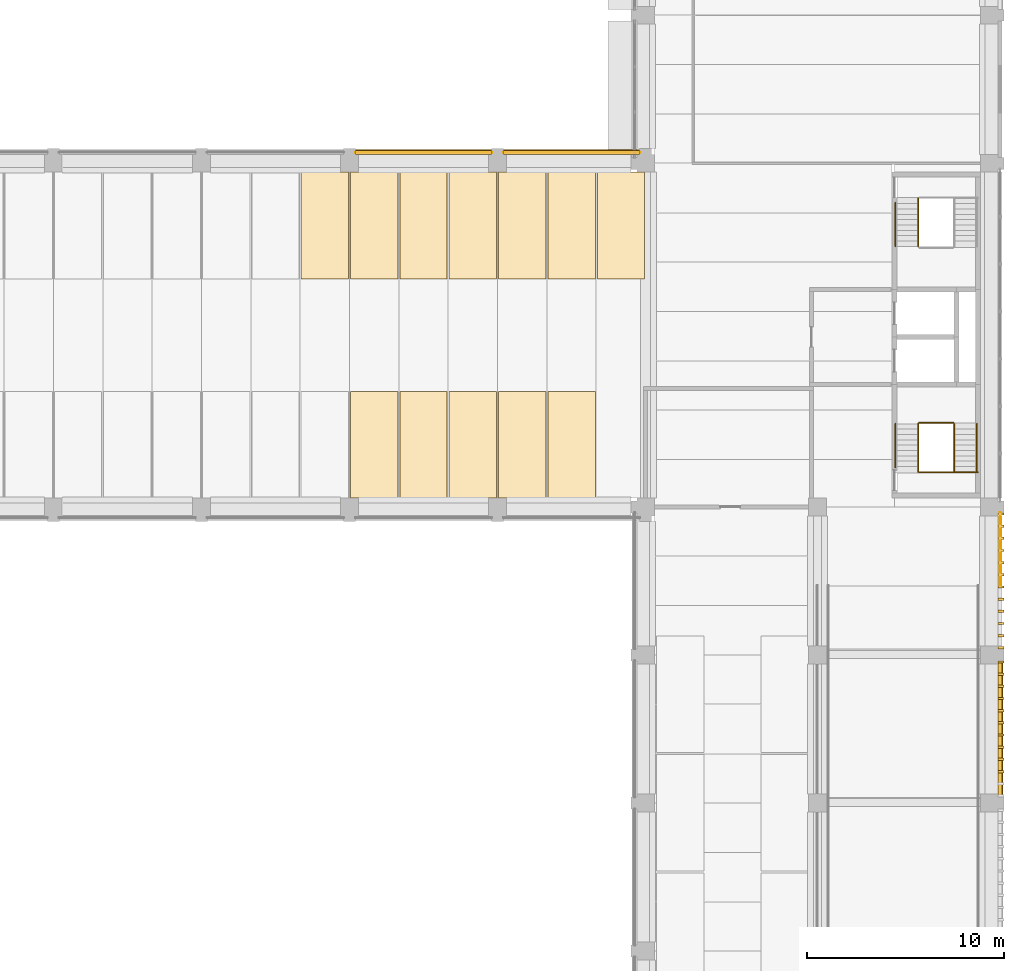
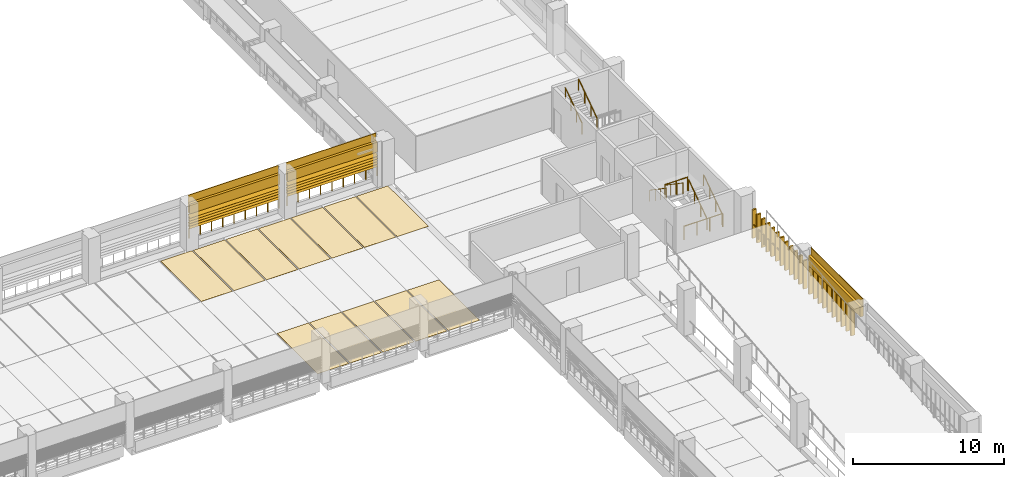
# One storey, part 50 of 57: 37 coverings, 11 railings, 10 shading devices.
"""IFC4 building model written with IfcOpenShell, lengths in metres."""

from ifc_helpers import new_model, si_unit, direction, frame, origin, origin_2d, place, context, subcontext, project, spatial, polyline, circle, outline, extrude, material, layer, layer_set, type_object, element, save


model = new_model("IFC4")

# Units and contexts
model_context = context("Model", 3, precision=1e-05, world=origin(), true_north=direction((0.0, 1.0)))
body_context = subcontext(model_context, "Body", "Model", "MODEL_VIEW")
ifc_project = project(units=[si_unit("LENGTHUNIT", "METRE"), si_unit("AREAUNIT", "SQUARE_METRE"), si_unit("VOLUMEUNIT", "CUBIC_METRE"), si_unit("PLANEANGLEUNIT", "RADIAN"), si_unit("MASSUNIT", "GRAM", prefix="KILO")], contexts=[model_context])

# Site, building, storey
site_placement = place(None, origin())
site = spatial("IfcSite", under=ifc_project, at=site_placement, CompositionType="ELEMENT")
building_placement = place(site_placement, origin())
building = spatial("IfcBuilding", under=site, at=building_placement, Name="Cour d'Honneur Mobility Palace", CompositionType="ELEMENT")
storey_placement = place(building_placement, frame((0.0, 0.0, 8.199951171875)))
storey = spatial("IfcBuildingStorey", under=building, at=storey_placement, Name="L02", CompositionType="ELEMENT", Elevation=8.199951171875)

# Railings
ifc_material_1 = material(Name="Painted steel", Category="steel")
railing_type_1 = type_object("IfcRailingType", Name="Balustrade", PredefinedType="BALUSTRADE", material=ifc_material_1)
railing_1_placement = place(storey_placement, frame((162.85009765625, 41.0, 0.300048828125)))
element("IfcRailing", 1, at=railing_1_placement, inside=storey, type_object=railing_type_1, Name="Balustrade BAL-97", PredefinedType="BALUSTRADE", context=body_context, shape_type="SweptSolid", body=[
    extrude(circle(Radius=0.02392578125, at=origin_2d()), frame((0.0, 0.0, 0.77587890625), z_axis=(0.0, 1.0, 0.0), x_axis=(-1.0, 0.0, 0.0)), (0.0, 0.0, 1.0), 3.699951171875),
    extrude(circle(Radius=0.02099609375, at=origin_2d()), origin(), (0.0, 0.0, 1.0), 0.751953125),
    extrude(circle(Radius=0.02099609375, at=origin_2d()), frame((0.0, 0.739990234375, 0.0)), (0.0, 0.0, 1.0), 0.751953125),
    extrude(circle(Radius=0.02099609375, at=origin_2d()), frame((0.0, 1.47998046875, 0.0)), (0.0, 0.0, 1.0), 0.751953125),
    extrude(circle(Radius=0.02099609375, at=origin_2d()), frame((0.0, 2.219970703125, 0.0)), (0.0, 0.0, 1.0), 0.751953125),
    extrude(circle(Radius=0.02099609375, at=origin_2d()), frame((0.0, 2.9599609375, 0.0)), (0.0, 0.0, 1.0), 0.751953125),
    extrude(circle(Radius=0.02099609375, at=origin_2d()), frame((0.0, 3.699951171875, 0.0)), (0.0, 0.0, 1.0), 0.751953125),
])
for number, where, name in (
    (2, (144.60009765625, 62.949951171875, 0.300048828125), "Balustrade BAL-105"),
    (3, (137.10009765625, 62.949951171875, 0.300048828125), "Balustrade BAL-106"),
):
    element("IfcRailing", number, at=place(storey_placement, frame(where)), inside=storey, type_object=railing_type_1, Name=name, PredefinedType="BALUSTRADE", context=body_context, shape_type="SweptSolid", body=[
        extrude(circle(Radius=0.02392578125, at=origin_2d()), frame((0.0, 0.0, 0.77587890625), z_axis=(-1.0, 0.0, 0.0), x_axis=(0.0, -1.0, 0.0)), (0.0, 0.0, 1.0), 6.900146484375),
        extrude(circle(Radius=0.02099609375, at=origin_2d()), origin(), (0.0, 0.0, 1.0), 0.751953125),
        extrude(circle(Radius=0.02099609375, at=origin_2d()), frame((-0.862548828125, 0.0, 0.0)), (0.0, 0.0, 1.0), 0.751953125),
        extrude(circle(Radius=0.02099609375, at=origin_2d()), frame((-1.72509765625, 0.0, 0.0)), (0.0, 0.0, 1.0), 0.751953125),
        extrude(circle(Radius=0.02099609375, at=origin_2d()), frame((-2.587646484375, 0.0, 0.0)), (0.0, 0.0, 1.0), 0.751953125),
        extrude(circle(Radius=0.02099609375, at=origin_2d()), frame((-3.4501953125, 0.0, 0.0)), (0.0, 0.0, 1.0), 0.751953125),
        extrude(circle(Radius=0.02099609375, at=origin_2d()), frame((-4.3125, 0.0, 0.0)), (0.0, 0.0, 1.0), 0.751953125),
        extrude(circle(Radius=0.02099609375, at=origin_2d()), frame((-5.175048828125, 0.0, 0.0)), (0.0, 0.0, 1.0), 0.751953125),
        extrude(circle(Radius=0.02099609375, at=origin_2d()), frame((-6.03759765625, 0.0, 0.0)), (0.0, 0.0, 1.0), 0.751953125),
        extrude(circle(Radius=0.02099609375, at=origin_2d()), frame((-6.900146484375, 0.0, 0.0)), (0.0, 0.0, 1.0), 0.751953125),
    ])
ifc_material_2 = material(Name="Painted steel", Category="steel")
railing_type_2 = type_object("IfcRailingType", Name="Guardrail 1100", PredefinedType="GUARDRAIL", material=ifc_material_2)
railing_2_placement = place(storey_placement, frame((158.75, 46.7548828125, 0.0)))
element("IfcRailing", 4, at=railing_2_placement, inside=storey, type_object=railing_type_2, Name="Guard ST-CE1", PredefinedType="GUARDRAIL", context=body_context, shape_type="SweptSolid", body=[
    extrude(circle(Radius=0.02490234375, at=origin_2d()), frame((0.0, 0.0, 1.0751953125), z_axis=(1.0, 0.0, 0.0), x_axis=(0.0, 1.0, 0.0)), (0.0, 0.0, 1.0), 2.97509765625),
    extrude(circle(Radius=0.02099609375, at=origin_2d()), origin(), (0.0, 0.0, 1.0), 1.050048828125),
    extrude(circle(Radius=0.02099609375, at=origin_2d()), frame((0.99169921875, 0.0, 0.0)), (0.0, 0.0, 1.0), 1.050048828125),
    extrude(circle(Radius=0.02099609375, at=origin_2d()), frame((1.9833984375, 0.0, 0.0)), (0.0, 0.0, 1.0), 1.050048828125),
    extrude(circle(Radius=0.02099609375, at=origin_2d()), frame((2.97509765625, 0.0, 0.0)), (0.0, 0.0, 1.0), 1.050048828125),
])
railing_3_placement = place(storey_placement, frame((158.75, 49.264892578125, 1.85009765625)))
element("IfcRailing", 5, at=railing_3_placement, inside=storey, type_object=railing_type_2, Name="Landing guard ST-CE1", PredefinedType="GUARDRAIL", context=body_context, shape_type="SweptSolid", body=[
    extrude(circle(Radius=0.02490234375, at=origin_2d()), frame((0.0, 0.0, 1.0751953125), z_axis=(1.0, 0.0, 0.0), x_axis=(0.0, 1.0, 0.0)), (0.0, 0.0, 1.0), 1.72509765625),
    extrude(circle(Radius=0.02099609375, at=origin_2d()), origin(), (0.0, 0.0, 1.0), 1.050048828125),
    extrude(circle(Radius=0.02099609375, at=origin_2d()), frame((0.862548828125, 0.0, 0.0)), (0.0, 0.0, 1.0), 1.050048828125),
    extrude(circle(Radius=0.02099609375, at=origin_2d()), frame((1.72509765625, 0.0, 0.0)), (0.0, 0.0, 1.0), 1.050048828125),
])
ifc_material_3 = material(Name="Stainless steel", Category="steel")
railing_type_3 = type_object("IfcRailingType", Name="Handrail round 50", PredefinedType="HANDRAIL", material=ifc_material_3)
for number, where, name in (
    (6, (161.675048828125, 46.77490234375, 0.18505859375), "Handrail ST-CE1"),
    (7, (160.52490234375, 46.77490234375, 0.18505859375), "Handrail ST-CE1"),
):
    element("IfcRailing", number, at=place(storey_placement, frame(where)), inside=storey, type_object=railing_type_3, Name=name, PredefinedType="HANDRAIL", context=body_context, shape_type="SweptSolid", body=[
        extrude(circle(Radius=0.02490234375, at=origin_2d()), frame((0.0, 0.0, 0.89501953125), z_axis=(0.0, 0.824945253146, 0.565212640793), x_axis=(-1.0, 0.0, 0.0)), (0.0, 0.0, 1.0), 2.94580078125),
        extrude(circle(Radius=0.02099609375, at=origin_2d()), origin(), (0.0, 0.0, 1.0), 0.869873046875),
        extrude(circle(Radius=0.02099609375, at=origin_2d()), frame((0.0, 0.81005859375, 0.554931640625)), (0.0, 0.0, 1.0), 0.869873046875),
        extrude(circle(Radius=0.02099609375, at=origin_2d()), frame((0.0, 1.6201171875, 1.110107421875)), (0.0, 0.0, 1.0), 0.869873046875),
        extrude(circle(Radius=0.02099609375, at=origin_2d()), frame((0.0, 2.43017578125, 1.6650390625)), (0.0, 0.0, 1.0), 0.869873046875),
    ])
railing_4_placement = place(storey_placement, frame((158.699951171875, 49.205078125, 2.03515625)))
element("IfcRailing", 8, at=railing_4_placement, inside=storey, type_object=railing_type_3, Name="Handrail ST-CE1", PredefinedType="HANDRAIL", context=body_context, shape_type="SweptSolid", body=[
    extrude(circle(Radius=0.02490234375, at=origin_2d()), frame((0.0, 0.0, 0.89501953125), z_axis=(0.0, -0.824983895463, 0.565156237006), x_axis=(1.0, 0.0, 0.0)), (0.0, 0.0, 1.0), 2.94580078125),
    extrude(circle(Radius=0.02099609375, at=origin_2d()), origin(), (0.0, 0.0, 1.0), 0.869873046875),
    extrude(circle(Radius=0.02099609375, at=origin_2d()), frame((0.0, -0.81005859375, 0.554931640625)), (0.0, 0.0, 1.0), 0.869873046875),
    extrude(circle(Radius=0.02099609375, at=origin_2d()), frame((0.0, -1.6201171875, 1.10986328125)), (0.0, 0.0, 1.0), 0.869873046875),
    extrude(circle(Radius=0.02099609375, at=origin_2d()), frame((0.0, -2.43017578125, 1.664794921875)), (0.0, 0.0, 1.0), 0.869873046875),
])
railing_5_placement = place(storey_placement, frame((157.550048828125, 49.205078125, 2.03515625)))
element("IfcRailing", 9, at=railing_5_placement, inside=storey, type_object=railing_type_3, Name="Handrail ST-CE1", PredefinedType="HANDRAIL", context=body_context, shape_type="SweptSolid", body=[
    extrude(circle(Radius=0.02490234375, at=origin_2d()), frame((0.0, 0.0, 0.89501953125), z_axis=(0.0, -0.824957609129, 0.565194606432), x_axis=(1.0, 0.0, 0.0)), (0.0, 0.0, 1.0), 2.6728515625),
    extrude(circle(Radius=0.02099609375, at=origin_2d()), origin(), (0.0, 0.0, 1.0), 0.869873046875),
    extrude(circle(Radius=0.02099609375, at=origin_2d()), frame((0.0, -0.735107421875, 0.503662109375)), (0.0, 0.0, 1.0), 0.869873046875),
    extrude(circle(Radius=0.02099609375, at=origin_2d()), frame((0.0, -1.469970703125, 1.007080078125)), (0.0, 0.0, 1.0), 0.869873046875),
    extrude(circle(Radius=0.02099609375, at=origin_2d()), frame((0.0, -2.205078125, 1.5107421875)), (0.0, 0.0, 1.0), 0.869873046875),
])
railing_6_placement = place(storey_placement, frame((158.699951171875, 58.195068359375, 2.03515625)))
element("IfcRailing", 10, at=railing_6_placement, inside=storey, type_object=railing_type_3, Name="Handrail ST-CE2", PredefinedType="HANDRAIL", context=body_context, shape_type="SweptSolid", body=[
    extrude(circle(Radius=0.02490234375, at=origin_2d()), frame((0.0, 0.0, 0.89501953125), z_axis=(0.0, 0.824957420862, 0.565194881227), x_axis=(-1.0, 0.0, 0.0)), (0.0, 0.0, 1.0), 2.945556640625),
    extrude(circle(Radius=0.02099609375, at=origin_2d()), origin(), (0.0, 0.0, 1.0), 0.869873046875),
    extrude(circle(Radius=0.02099609375, at=origin_2d()), frame((0.0, 0.81005859375, 0.554931640625)), (0.0, 0.0, 1.0), 0.869873046875),
    extrude(circle(Radius=0.02099609375, at=origin_2d()), frame((0.0, 1.619873046875, 1.10986328125)), (0.0, 0.0, 1.0), 0.869873046875),
    extrude(circle(Radius=0.02099609375, at=origin_2d()), frame((0.0, 2.429931640625, 1.664794921875)), (0.0, 0.0, 1.0), 0.869873046875),
])
railing_7_placement = place(storey_placement, frame((157.550048828125, 58.195068359375, 2.03515625)))
element("IfcRailing", 11, at=railing_7_placement, inside=storey, type_object=railing_type_3, Name="Handrail ST-CE2", PredefinedType="HANDRAIL", context=body_context, shape_type="SweptSolid", body=[
    extrude(circle(Radius=0.02490234375, at=origin_2d()), frame((0.0, 0.0, 0.89501953125), z_axis=(0.0, 0.824928428624, 0.565237195917), x_axis=(-1.0, 0.0, 0.0)), (0.0, 0.0, 1.0), 2.6728515625),
    extrude(circle(Radius=0.02099609375, at=origin_2d()), origin(), (0.0, 0.0, 1.0), 0.869873046875),
    extrude(circle(Radius=0.02099609375, at=origin_2d()), frame((0.0, 0.73486328125, 0.503662109375)), (0.0, 0.0, 1.0), 0.869873046875),
    extrude(circle(Radius=0.02099609375, at=origin_2d()), frame((0.0, 1.469970703125, 1.007080078125)), (0.0, 0.0, 1.0), 0.869873046875),
    extrude(circle(Radius=0.02099609375, at=origin_2d()), frame((0.0, 2.204833984375, 1.5107421875)), (0.0, 0.0, 1.0), 0.869873046875),
])

# Coverings
ifc_material_4 = material(Name="Parking marking paint")
ifc_layer_1 = layer(ifc_material_4, 0.0048828125)
ifc_layer_set_1 = layer_set([ifc_layer_1], Name="Parking marking paint")
covering_type_1 = type_object("IfcCoveringType", Name="Parking bay marking", PredefinedType="FLOORING", material=ifc_layer_set_1)
covering_1_placement = place(storey_placement, origin())
element("IfcCovering", 12, at=covering_1_placement, inside=storey, type_object=covering_type_1, Name="Parking bay marking L02 28", PredefinedType="FLOORING", context=body_context, shape_type="SweptSolid", body=[
    extrude(outline(polyline([(129.85009765625, 56.550048828125), (127.449951171875, 56.550048828125), (127.449951171875, 61.949951171875), (129.85009765625, 61.949951171875), (129.85009765625, 56.550048828125)])), origin(), (0.0, 0.0, 1.0), 0.005126953125),
])
covering_2_placement = place(storey_placement, origin())
element("IfcCovering", 13, at=covering_2_placement, inside=storey, type_object=covering_type_1, Name="Parking bay marking L02 29", PredefinedType="FLOORING", context=body_context, shape_type="SweptSolid", body=[
    extrude(outline(polyline([(132.35009765625, 56.550048828125), (129.949951171875, 56.550048828125), (129.949951171875, 61.949951171875), (132.35009765625, 61.949951171875), (132.35009765625, 56.550048828125)])), origin(), (0.0, 0.0, 1.0), 0.005126953125),
])
covering_3_placement = place(storey_placement, origin())
element("IfcCovering", 14, at=covering_3_placement, inside=storey, type_object=covering_type_1, Name="Parking bay marking L02 30", PredefinedType="FLOORING", context=body_context, shape_type="SweptSolid", body=[
    extrude(outline(polyline([(134.85009765625, 56.550048828125), (132.449951171875, 56.550048828125), (132.449951171875, 61.949951171875), (134.85009765625, 61.949951171875), (134.85009765625, 56.550048828125)])), origin(), (0.0, 0.0, 1.0), 0.005126953125),
])
covering_4_placement = place(storey_placement, origin())
element("IfcCovering", 15, at=covering_4_placement, inside=storey, type_object=covering_type_1, Name="Parking bay marking L02 31", PredefinedType="FLOORING", context=body_context, shape_type="SweptSolid", body=[
    extrude(outline(polyline([(137.35009765625, 56.550048828125), (134.949951171875, 56.550048828125), (134.949951171875, 61.949951171875), (137.35009765625, 61.949951171875), (137.35009765625, 56.550048828125)])), origin(), (0.0, 0.0, 1.0), 0.005126953125),
])
covering_5_placement = place(storey_placement, origin())
element("IfcCovering", 16, at=covering_5_placement, inside=storey, type_object=covering_type_1, Name="Parking bay marking L02 32", PredefinedType="FLOORING", context=body_context, shape_type="SweptSolid", body=[
    extrude(outline(polyline([(139.85009765625, 56.550048828125), (137.449951171875, 56.550048828125), (137.449951171875, 61.949951171875), (139.85009765625, 61.949951171875), (139.85009765625, 56.550048828125)])), origin(), (0.0, 0.0, 1.0), 0.005126953125),
])
covering_6_placement = place(storey_placement, origin())
element("IfcCovering", 17, at=covering_6_placement, inside=storey, type_object=covering_type_1, Name="Parking bay marking L02 34", PredefinedType="FLOORING", context=body_context, shape_type="SweptSolid", body=[
    extrude(outline(polyline([(142.35009765625, 56.550048828125), (139.949951171875, 56.550048828125), (139.949951171875, 61.949951171875), (142.35009765625, 61.949951171875), (142.35009765625, 56.550048828125)])), origin(), (0.0, 0.0, 1.0), 0.005126953125),
])
covering_7_placement = place(storey_placement, origin())
element("IfcCovering", 18, at=covering_7_placement, inside=storey, type_object=covering_type_1, Name="Parking bay marking L02 35", PredefinedType="FLOORING", context=body_context, shape_type="SweptSolid", body=[
    extrude(outline(polyline([(144.85009765625, 56.550048828125), (142.449951171875, 56.550048828125), (142.449951171875, 61.949951171875), (144.85009765625, 61.949951171875), (144.85009765625, 56.550048828125)])), origin(), (0.0, 0.0, 1.0), 0.005126953125),
])
covering_8_placement = place(storey_placement, origin())
element("IfcCovering", 19, at=covering_8_placement, inside=storey, type_object=covering_type_1, Name="Parking bay marking L02 68", PredefinedType="FLOORING", context=body_context, shape_type="SweptSolid", body=[
    extrude(outline(polyline([(132.35009765625, 45.449951171875), (129.949951171875, 45.449951171875), (129.949951171875, 50.85009765625), (132.35009765625, 50.85009765625), (132.35009765625, 45.449951171875)])), origin(), (0.0, 0.0, 1.0), 0.005126953125),
])
covering_9_placement = place(storey_placement, origin())
element("IfcCovering", 20, at=covering_9_placement, inside=storey, type_object=covering_type_1, Name="Parking bay marking L02 69", PredefinedType="FLOORING", context=body_context, shape_type="SweptSolid", body=[
    extrude(outline(polyline([(134.85009765625, 45.449951171875), (132.449951171875, 45.449951171875), (132.449951171875, 50.85009765625), (134.85009765625, 50.85009765625), (134.85009765625, 45.449951171875)])), origin(), (0.0, 0.0, 1.0), 0.005126953125),
])
covering_10_placement = place(storey_placement, origin())
element("IfcCovering", 21, at=covering_10_placement, inside=storey, type_object=covering_type_1, Name="Parking bay marking L02 70", PredefinedType="FLOORING", context=body_context, shape_type="SweptSolid", body=[
    extrude(outline(polyline([(137.35009765625, 45.449951171875), (134.949951171875, 45.449951171875), (134.949951171875, 50.85009765625), (137.35009765625, 50.85009765625), (137.35009765625, 45.449951171875)])), origin(), (0.0, 0.0, 1.0), 0.005126953125),
])
covering_11_placement = place(storey_placement, origin())
element("IfcCovering", 22, at=covering_11_placement, inside=storey, type_object=covering_type_1, Name="Parking bay marking L02 71", PredefinedType="FLOORING", context=body_context, shape_type="SweptSolid", body=[
    extrude(outline(polyline([(139.85009765625, 45.449951171875), (137.449951171875, 45.449951171875), (137.449951171875, 50.85009765625), (139.85009765625, 50.85009765625), (139.85009765625, 45.449951171875)])), origin(), (0.0, 0.0, 1.0), 0.005126953125),
])
covering_12_placement = place(storey_placement, origin())
element("IfcCovering", 23, at=covering_12_placement, inside=storey, type_object=covering_type_1, Name="Parking bay marking L02 73", PredefinedType="FLOORING", context=body_context, shape_type="SweptSolid", body=[
    extrude(outline(polyline([(142.35009765625, 45.449951171875), (139.949951171875, 45.449951171875), (139.949951171875, 50.85009765625), (142.35009765625, 50.85009765625), (142.35009765625, 45.449951171875)])), origin(), (0.0, 0.0, 1.0), 0.005126953125),
])
ifc_material_5 = material(Name="Cast limestone", Category="masonry")
ifc_layer_2 = layer(ifc_material_5, 0.1201171875)
ifc_layer_set_2 = layer_set([ifc_layer_2], Name="Cast limestone")
covering_type_2 = type_object("IfcCoveringType", Name="Ramp screen fin", PredefinedType="CLADDING", material=ifc_layer_set_2)
covering_13_placement = place(storey_placement, origin())
element("IfcCovering", 24, at=covering_13_placement, inside=storey, type_object=covering_type_2, Name="Ramp screen fin E5.4 L02 3", PredefinedType="CLADDING", context=body_context, shape_type="SweptSolid", body=[
    extrude(outline(polyline([(162.75, 31.53271484375), (162.75, 31.65283203125), (163.050048828125, 31.65283203125), (163.050048828125, 31.53271484375), (162.75, 31.53271484375)])), origin(), (0.0, 0.0, 1.0), 2.300048828125),
])
covering_14_placement = place(storey_placement, origin())
element("IfcCovering", 25, at=covering_14_placement, inside=storey, type_object=covering_type_2, Name="Ramp screen fin E5.4 L02 4", PredefinedType="CLADDING", context=body_context, shape_type="SweptSolid", body=[
    extrude(outline(polyline([(162.75, 32.149169921875), (162.75, 32.26904296875), (163.050048828125, 32.26904296875), (163.050048828125, 32.149169921875), (162.75, 32.149169921875)])), origin(), (0.0, 0.0, 1.0), 2.300048828125),
])
covering_15_placement = place(storey_placement, origin())
element("IfcCovering", 26, at=covering_15_placement, inside=storey, type_object=covering_type_2, Name="Ramp screen fin E5.4 L02 5", PredefinedType="CLADDING", context=body_context, shape_type="SweptSolid", body=[
    extrude(outline(polyline([(162.75, 32.765380859375), (162.75, 32.885498046875), (163.050048828125, 32.885498046875), (163.050048828125, 32.765380859375), (162.75, 32.765380859375)])), origin(), (0.0, 0.0, 1.0), 2.300048828125),
])
covering_16_placement = place(storey_placement, origin())
element("IfcCovering", 27, at=covering_16_placement, inside=storey, type_object=covering_type_2, Name="Ramp screen fin E5.4 L02 6", PredefinedType="CLADDING", context=body_context, shape_type="SweptSolid", body=[
    extrude(outline(polyline([(162.75, 33.3818359375), (162.75, 33.501708984375), (163.050048828125, 33.501708984375), (163.050048828125, 33.3818359375), (162.75, 33.3818359375)])), origin(), (0.0, 0.0, 1.0), 2.300048828125),
])
covering_17_placement = place(storey_placement, origin())
element("IfcCovering", 28, at=covering_17_placement, inside=storey, type_object=covering_type_2, Name="Ramp screen fin E5.4 L02 7", PredefinedType="CLADDING", context=body_context, shape_type="SweptSolid", body=[
    extrude(outline(polyline([(162.75, 33.998291015625), (162.75, 34.1181640625), (163.050048828125, 34.1181640625), (163.050048828125, 33.998291015625), (162.75, 33.998291015625)])), origin(), (0.0, 0.0, 1.0), 2.300048828125),
])
covering_18_placement = place(storey_placement, origin())
element("IfcCovering", 29, at=covering_18_placement, inside=storey, type_object=covering_type_2, Name="Ramp screen fin E5.4 L02 8", PredefinedType="CLADDING", context=body_context, shape_type="SweptSolid", body=[
    extrude(outline(polyline([(162.75, 34.614501953125), (162.75, 34.734619140625), (163.050048828125, 34.734619140625), (163.050048828125, 34.614501953125), (162.75, 34.614501953125)])), origin(), (0.0, 0.0, 1.0), 2.300048828125),
])
covering_19_placement = place(storey_placement, origin())
element("IfcCovering", 30, at=covering_19_placement, inside=storey, type_object=covering_type_2, Name="Ramp screen fin E5.4 L02 9", PredefinedType="CLADDING", context=body_context, shape_type="SweptSolid", body=[
    extrude(outline(polyline([(162.75, 35.23095703125), (162.75, 35.350830078125), (163.050048828125, 35.350830078125), (163.050048828125, 35.23095703125), (162.75, 35.23095703125)])), origin(), (0.0, 0.0, 1.0), 2.300048828125),
])
covering_20_placement = place(storey_placement, origin())
element("IfcCovering", 31, at=covering_20_placement, inside=storey, type_object=covering_type_2, Name="Ramp screen fin E5.4 L02 10", PredefinedType="CLADDING", context=body_context, shape_type="SweptSolid", body=[
    extrude(outline(polyline([(162.75, 35.84716796875), (162.75, 35.96728515625), (163.050048828125, 35.96728515625), (163.050048828125, 35.84716796875), (162.75, 35.84716796875)])), origin(), (0.0, 0.0, 1.0), 2.300048828125),
])
covering_21_placement = place(storey_placement, origin())
element("IfcCovering", 32, at=covering_21_placement, inside=storey, type_object=covering_type_2, Name="Ramp screen fin E5.4 L02 11", PredefinedType="CLADDING", context=body_context, shape_type="SweptSolid", body=[
    extrude(outline(polyline([(162.75, 36.463623046875), (162.75, 36.583740234375), (163.050048828125, 36.583740234375), (163.050048828125, 36.463623046875), (162.75, 36.463623046875)])), origin(), (0.0, 0.0, 1.0), 2.300048828125),
])
covering_22_placement = place(storey_placement, origin())
element("IfcCovering", 33, at=covering_22_placement, inside=storey, type_object=covering_type_2, Name="Ramp screen fin E5.4 L02 12", PredefinedType="CLADDING", context=body_context, shape_type="SweptSolid", body=[
    extrude(outline(polyline([(162.75, 37.080078125), (162.75, 37.199951171875), (163.050048828125, 37.199951171875), (163.050048828125, 37.080078125), (162.75, 37.080078125)])), origin(), (0.0, 0.0, 1.0), 2.300048828125),
])
covering_23_placement = place(storey_placement, origin())
element("IfcCovering", 34, at=covering_23_placement, inside=storey, type_object=covering_type_2, Name="Ramp screen fin E5.5 L02 1", PredefinedType="CLADDING", context=body_context, shape_type="SweptSolid", body=[
    extrude(outline(polyline([(162.75, 37.800048828125), (162.75, 37.919921875), (163.050048828125, 37.919921875), (163.050048828125, 37.800048828125), (162.75, 37.800048828125)])), origin(), (0.0, 0.0, 1.0), 2.300048828125),
])
covering_24_placement = place(storey_placement, origin())
element("IfcCovering", 35, at=covering_24_placement, inside=storey, type_object=covering_type_2, Name="Ramp screen fin E5.5 L02 2", PredefinedType="CLADDING", context=body_context, shape_type="SweptSolid", body=[
    extrude(outline(polyline([(162.75, 38.416259765625), (162.75, 38.536376953125), (163.050048828125, 38.536376953125), (163.050048828125, 38.416259765625), (162.75, 38.416259765625)])), origin(), (0.0, 0.0, 1.0), 2.300048828125),
])
covering_25_placement = place(storey_placement, origin())
element("IfcCovering", 36, at=covering_25_placement, inside=storey, type_object=covering_type_2, Name="Ramp screen fin E5.5 L02 3", PredefinedType="CLADDING", context=body_context, shape_type="SweptSolid", body=[
    extrude(outline(polyline([(162.75, 39.03271484375), (162.75, 39.15283203125), (163.050048828125, 39.15283203125), (163.050048828125, 39.03271484375), (162.75, 39.03271484375)])), origin(), (0.0, 0.0, 1.0), 2.300048828125),
])
covering_26_placement = place(storey_placement, origin())
element("IfcCovering", 37, at=covering_26_placement, inside=storey, type_object=covering_type_2, Name="Ramp screen fin E5.5 L02 4", PredefinedType="CLADDING", context=body_context, shape_type="SweptSolid", body=[
    extrude(outline(polyline([(162.75, 39.649169921875), (162.75, 39.76904296875), (163.050048828125, 39.76904296875), (163.050048828125, 39.649169921875), (162.75, 39.649169921875)])), origin(), (0.0, 0.0, 1.0), 2.300048828125),
])
covering_27_placement = place(storey_placement, origin())
element("IfcCovering", 38, at=covering_27_placement, inside=storey, type_object=covering_type_2, Name="Ramp screen fin E5.5 L02 5", PredefinedType="CLADDING", context=body_context, shape_type="SweptSolid", body=[
    extrude(outline(polyline([(162.75, 40.265380859375), (162.75, 40.385498046875), (163.050048828125, 40.385498046875), (163.050048828125, 40.265380859375), (162.75, 40.265380859375)])), origin(), (0.0, 0.0, 1.0), 2.300048828125),
])
covering_28_placement = place(storey_placement, origin())
element("IfcCovering", 39, at=covering_28_placement, inside=storey, type_object=covering_type_2, Name="Ramp screen fin E5.5 L02 6", PredefinedType="CLADDING", context=body_context, shape_type="SweptSolid", body=[
    extrude(outline(polyline([(162.75, 40.8818359375), (162.75, 41.001708984375), (163.050048828125, 41.001708984375), (163.050048828125, 40.8818359375), (162.75, 40.8818359375)])), origin(), (0.0, 0.0, 1.0), 2.300048828125),
])
covering_29_placement = place(storey_placement, origin())
element("IfcCovering", 40, at=covering_29_placement, inside=storey, type_object=covering_type_2, Name="Ramp screen fin E5.5 L02 7", PredefinedType="CLADDING", context=body_context, shape_type="SweptSolid", body=[
    extrude(outline(polyline([(162.75, 41.498291015625), (162.75, 41.6181640625), (163.050048828125, 41.6181640625), (163.050048828125, 41.498291015625), (162.75, 41.498291015625)])), origin(), (0.0, 0.0, 1.0), 2.300048828125),
])
covering_30_placement = place(storey_placement, origin())
element("IfcCovering", 41, at=covering_30_placement, inside=storey, type_object=covering_type_2, Name="Ramp screen fin E5.5 L02 8", PredefinedType="CLADDING", context=body_context, shape_type="SweptSolid", body=[
    extrude(outline(polyline([(162.75, 42.114501953125), (162.75, 42.234619140625), (163.050048828125, 42.234619140625), (163.050048828125, 42.114501953125), (162.75, 42.114501953125)])), origin(), (0.0, 0.0, 1.0), 2.300048828125),
])
covering_31_placement = place(storey_placement, origin())
element("IfcCovering", 42, at=covering_31_placement, inside=storey, type_object=covering_type_2, Name="Ramp screen fin E5.5 L02 9", PredefinedType="CLADDING", context=body_context, shape_type="SweptSolid", body=[
    extrude(outline(polyline([(162.75, 42.73095703125), (162.75, 42.850830078125), (163.050048828125, 42.850830078125), (163.050048828125, 42.73095703125), (162.75, 42.73095703125)])), origin(), (0.0, 0.0, 1.0), 2.300048828125),
])
covering_32_placement = place(storey_placement, origin())
element("IfcCovering", 43, at=covering_32_placement, inside=storey, type_object=covering_type_2, Name="Ramp screen fin E5.5 L02 10", PredefinedType="CLADDING", context=body_context, shape_type="SweptSolid", body=[
    extrude(outline(polyline([(162.75, 43.34716796875), (162.75, 43.46728515625), (163.050048828125, 43.46728515625), (163.050048828125, 43.34716796875), (162.75, 43.34716796875)])), origin(), (0.0, 0.0, 1.0), 2.300048828125),
])
covering_33_placement = place(storey_placement, origin())
element("IfcCovering", 44, at=covering_33_placement, inside=storey, type_object=covering_type_2, Name="Ramp screen fin E5.5 L02 11", PredefinedType="CLADDING", context=body_context, shape_type="SweptSolid", body=[
    extrude(outline(polyline([(162.75, 43.963623046875), (162.75, 44.083740234375), (163.050048828125, 44.083740234375), (163.050048828125, 43.963623046875), (162.75, 43.963623046875)])), origin(), (0.0, 0.0, 1.0), 2.300048828125),
])
covering_34_placement = place(storey_placement, origin())
element("IfcCovering", 45, at=covering_34_placement, inside=storey, type_object=covering_type_2, Name="Ramp screen fin E5.5 L02 12", PredefinedType="CLADDING", context=body_context, shape_type="SweptSolid", body=[
    extrude(outline(polyline([(162.75, 44.580078125), (162.75, 44.699951171875), (163.050048828125, 44.699951171875), (163.050048828125, 44.580078125), (162.75, 44.580078125)])), origin(), (0.0, 0.0, 1.0), 2.300048828125),
])
ifc_material_6 = material(Name="Cast limestone", Category="masonry")
ifc_layer_3 = layer(ifc_material_6, 0.25)
ifc_layer_set_3 = layer_set([ifc_layer_3], Name="Cast limestone")
covering_type_3 = type_object("IfcCoveringType", Name="Spandrel cladding", PredefinedType="CLADDING", material=ifc_layer_set_3)
for number, where, z_axis, x_axis, name in (
    (46, (162.75, 30.300048828125, 2.300048828125), (0.0, -1.0, 0.0), (1.0, 0.0, 0.0), "Spandrel cladding SK-163"),
    (47, (144.60009765625, 62.85009765625, 2.300048828125), (1.0, 0.0, 0.0), (0.0, 1.0, 0.0), "Spandrel cladding SK-176"),
    (48, (137.10009765625, 62.85009765625, 2.300048828125), (1.0, 0.0, 0.0), (0.0, 1.0, 0.0), "Spandrel cladding SK-177"),
):
    element("IfcCovering", number, at=place(storey_placement, frame(where, z_axis=z_axis, x_axis=x_axis)), inside=storey, type_object=covering_type_3, Name=name, PredefinedType="CLADDING", context=body_context, shape_type="SweptSolid", body=[
        extrude(outline(polyline([(0.0, 0.0), (0.25, 0.0), (0.25, 1.39990234375), (0.199951171875, 1.39990234375), (0.199951171875, 0.800048828125), (0.0, 0.800048828125), (0.0, 0.0)])), origin(), (0.0, 0.0, -1.0), 6.89990234375),
    ])

# Shading devices
ifc_material_7 = material(Name="Terracotta", Category="masonry")
ifc_layer_4 = layer(ifc_material_7, 0.02490234375)
ifc_layer_set_4 = layer_set([ifc_layer_4], Name="Terracotta")
shading_device_type = type_object("IfcShadingDeviceType", Name="Terracotta louvre blade", PredefinedType="JALOUSIE", material=ifc_layer_set_4)
for number, where, z_axis, x_axis, name in (
    (49, (144.60009765625, 62.843994140625, 1.10009765625), (0.0, -0.707106781187, 0.707106781187), (-1.0, 0.0, 0.0), "Louvre blade LV-1 N8.0 L02 1"),
    (50, (144.60009765625, 62.843994140625, 1.312255859375), (0.0, -0.707106781187, 0.707106781187), (-1.0, 0.0, 0.0), "Louvre blade LV-1 N8.0 L02 2"),
):
    element("IfcShadingDevice", number, at=place(storey_placement, frame(where, z_axis=z_axis, x_axis=x_axis)), inside=storey, type_object=shading_device_type, Name=name, PredefinedType="JALOUSIE", context=body_context, shape_type="SweptSolid", body=[
        extrude(outline(polyline([(0.0, 0.0), (6.900146484375, 0.0), (6.900146484375, -0.300037008228081), (0.0, -0.300037008228081), (0.0, 0.0)])), origin(), (0.0, 0.0, -1.0), 0.02490234375),
    ])
shading_device_1_placement = place(storey_placement, frame((144.60009765625, 62.843994140625, 1.5244140625), z_axis=(0.0, -0.706699578995, 0.707513749017), x_axis=(-1.0, 0.0, 0.0)))
element("IfcShadingDevice", 51, at=shading_device_1_placement, inside=storey, type_object=shading_device_type, Name="Louvre blade LV-1 N8.0 L02 3", PredefinedType="JALOUSIE", context=body_context, shape_type="SweptSolid", body=[
    extrude(outline(polyline([(0.0, 0.0), (6.900146484375, 0.0), (6.900146484375, -0.29986442442957895), (0.0, -0.29986442442957895), (0.0, 0.0)])), origin(), (0.0, 0.0, -1.0), 0.02490234375),
])
for number, where, z_axis, x_axis, name in (
    (52, (144.60009765625, 62.843994140625, 1.736328125), (0.0, -0.707106781187, 0.707106781187), (-1.0, 0.0, 0.0), "Louvre blade LV-1 N8.0 L02 4"),
    (53, (144.60009765625, 62.843994140625, 1.948486328125), (0.0, -0.707106781187, 0.707106781187), (-1.0, 0.0, 0.0), "Louvre blade LV-1 N8.0 L02 5"),
    (54, (137.10009765625, 62.843994140625, 1.10009765625), (0.0, -0.707106781187, 0.707106781187), (-1.0, 0.0, 0.0), "Louvre blade LV-1 N8.1 L02 1"),
    (55, (137.10009765625, 62.843994140625, 1.312255859375), (0.0, -0.707106781187, 0.707106781187), (-1.0, 0.0, 0.0), "Louvre blade LV-1 N8.1 L02 2"),
):
    element("IfcShadingDevice", number, at=place(storey_placement, frame(where, z_axis=z_axis, x_axis=x_axis)), inside=storey, type_object=shading_device_type, Name=name, PredefinedType="JALOUSIE", context=body_context, shape_type="SweptSolid", body=[
        extrude(outline(polyline([(0.0, 0.0), (6.900146484375, 0.0), (6.900146484375, -0.300037008228081), (0.0, -0.300037008228081), (0.0, 0.0)])), origin(), (0.0, 0.0, -1.0), 0.02490234375),
    ])
shading_device_2_placement = place(storey_placement, frame((137.10009765625, 62.843994140625, 1.5244140625), z_axis=(0.0, -0.706699578995, 0.707513749017), x_axis=(-1.0, 0.0, 0.0)))
element("IfcShadingDevice", 56, at=shading_device_2_placement, inside=storey, type_object=shading_device_type, Name="Louvre blade LV-1 N8.1 L02 3", PredefinedType="JALOUSIE", context=body_context, shape_type="SweptSolid", body=[
    extrude(outline(polyline([(0.0, 0.0), (6.900146484375, 0.0), (6.900146484375, -0.29986442442957895), (0.0, -0.29986442442957895), (0.0, 0.0)])), origin(), (0.0, 0.0, -1.0), 0.02490234375),
])
for number, where, z_axis, x_axis, name in (
    (57, (137.10009765625, 62.843994140625, 1.736328125), (0.0, -0.707106781187, 0.707106781187), (-1.0, 0.0, 0.0), "Louvre blade LV-1 N8.1 L02 4"),
    (58, (137.10009765625, 62.843994140625, 1.948486328125), (0.0, -0.707106781187, 0.707106781187), (-1.0, 0.0, 0.0), "Louvre blade LV-1 N8.1 L02 5"),
):
    element("IfcShadingDevice", number, at=place(storey_placement, frame(where, z_axis=z_axis, x_axis=x_axis)), inside=storey, type_object=shading_device_type, Name=name, PredefinedType="JALOUSIE", context=body_context, shape_type="SweptSolid", body=[
        extrude(outline(polyline([(0.0, 0.0), (6.900146484375, 0.0), (6.900146484375, -0.300037008228081), (0.0, -0.300037008228081), (0.0, 0.0)])), origin(), (0.0, 0.0, -1.0), 0.02490234375),
    ])

save(model, "model.ifc")
